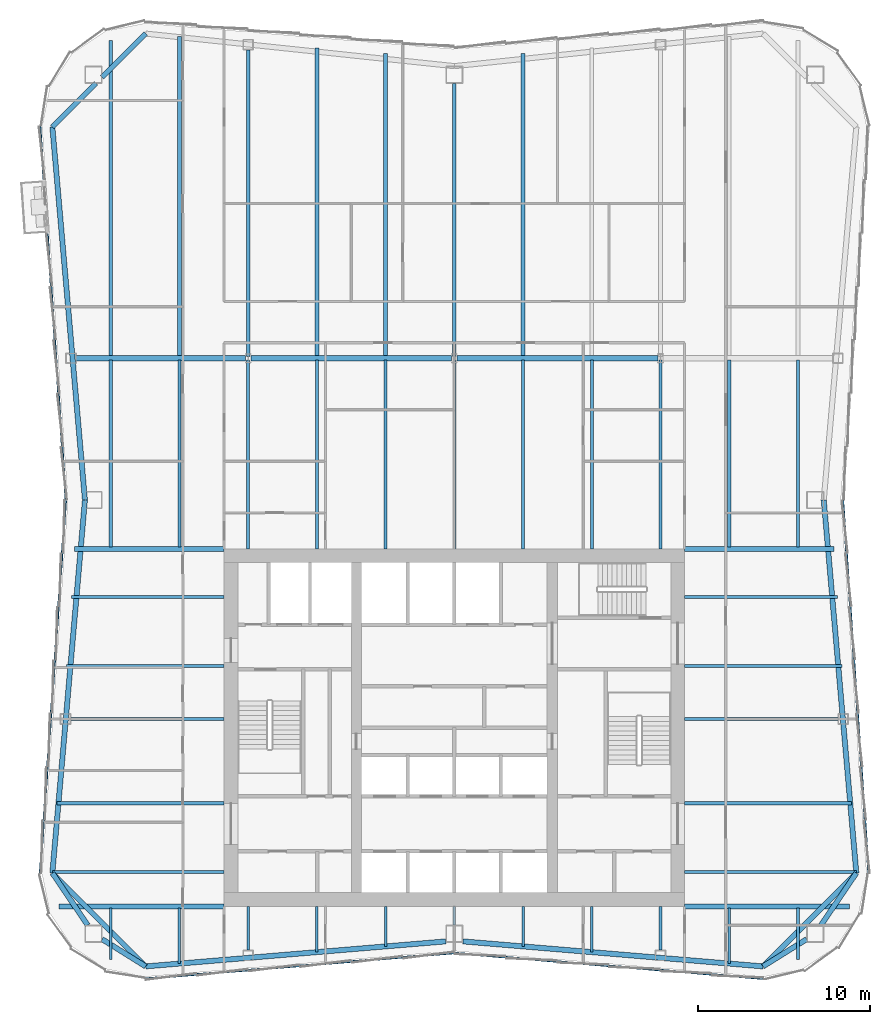
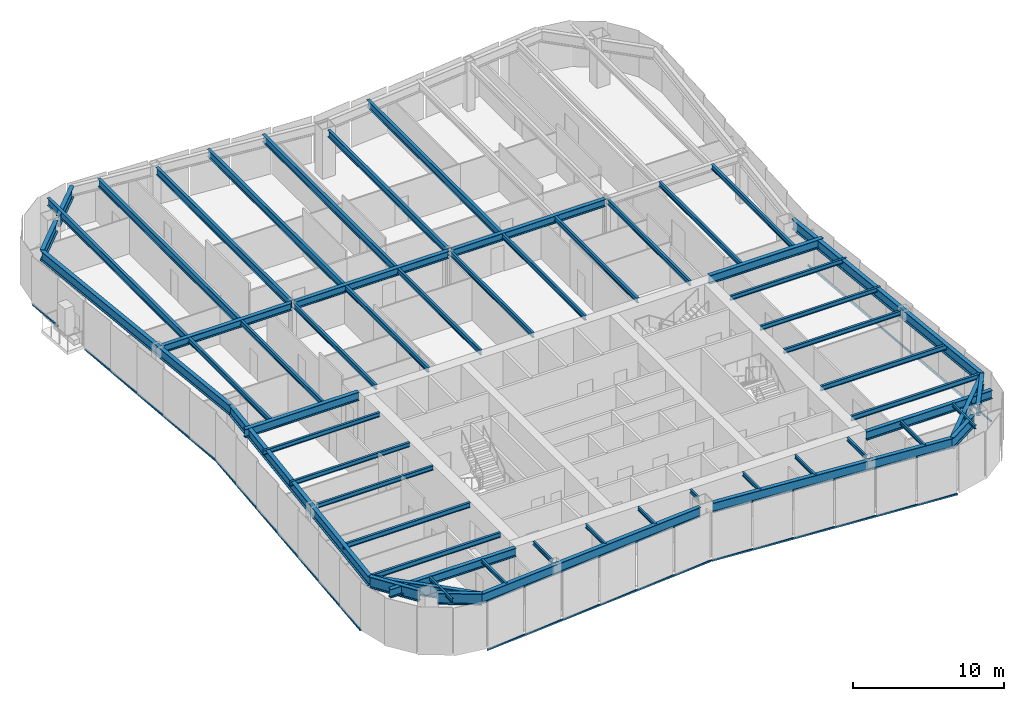
# One storey, part 3 of 11: 59 beams, 6 members, 3 elements without a shape of their own.
"""IFC4 building model written with IfcOpenShell, lengths in metres."""

from ifc_helpers import new_model, si_unit, direction, frame, origin, origin_2d, place, context, subcontext, project, spatial, rectangle, i_section, extrude, material, material_profile, profile_set, type_object, element, aggregate, save


model = new_model("IFC4")

# Units and contexts
model_context = context("Model", 3, precision=1e-05, world=origin(), true_north=direction((0.0, 1.0)))
body_context = subcontext(model_context, "Body", "Model", "MODEL_VIEW")
ifc_project = project(units=[si_unit("LENGTHUNIT", "METRE"), si_unit("AREAUNIT", "SQUARE_METRE"), si_unit("VOLUMEUNIT", "CUBIC_METRE"), si_unit("PLANEANGLEUNIT", "RADIAN"), si_unit("MASSUNIT", "GRAM", prefix="KILO")], contexts=[model_context])

# Site, building, storey
site_placement = place(None, origin())
site = spatial("IfcSite", under=ifc_project, at=site_placement, CompositionType="ELEMENT")
building_placement = place(site_placement, origin())
building = spatial("IfcBuilding", under=site, at=building_placement, Name="Verdant Reach Tower", CompositionType="ELEMENT")
storey_placement = place(building_placement, frame((0.0, 0.0, 258.0)))
storey = spatial("IfcBuildingStorey", under=building, at=storey_placement, Name="L59", CompositionType="ELEMENT", Elevation=258.0)

# Curtain wall, member
ifc_material_1 = material(Name="Anodised aluminium", Category="aluminium")
curtain_wall_type = type_object("IfcCurtainWallType", Name="EN-CW SYSTEM Z4", PredefinedType="NOTDEFINED", material=ifc_material_1)
curtain_wall_1_placement = place(storey_placement, origin())
curtain_wall_1 = element("IfcCurtainWall", 1, at=curtain_wall_1_placement, inside=storey, type_object=curtain_wall_type, Name="Curtain wall east, L59", PredefinedType="NOTDEFINED")
ifc_material_profile_1 = material_profile(ifc_material_1, rectangle(XDim=0.10009765625, YDim=0.1279296875, at=origin_2d()), Name="Transom 128x100")
ifc_profile_set_1 = profile_set([ifc_material_profile_1], Name="Anodised aluminium")
member_type = type_object("IfcMemberType", Name="EN-TRANSOM Z4", PredefinedType="USERDEFINED", material=ifc_profile_set_1)
member_1_placement = place(storey_placement, frame((24.109375, 19.52685546875, -0.285888671875), z_axis=(-0.068770489035, 0.997632507408, 0.0), x_axis=(-0.997632507408, -0.068770489035, 0.0)))
member_1 = element("IfcMember", 2, at=member_1_placement, type_object=member_type, Name="Transom east face part 1 1.1, L59", ObjectType="TRANSOM", PredefinedType="USERDEFINED", context=body_context, shape_type="SweptSolid", body=[
    extrude(rectangle(XDim=0.10009765625, YDim=0.1279296875, at=origin_2d()), origin(), (0.0, 0.0, 1.0), 21.74072265625),
])
aggregate(curtain_wall_1, [member_1])

# Curtain wall, members
curtain_wall_2_placement = place(storey_placement, origin())
curtain_wall_2 = element("IfcCurtainWall", 3, at=curtain_wall_2_placement, inside=storey, type_object=curtain_wall_type, Name="Curtain wall west, L59", PredefinedType="NOTDEFINED")
member_2_placement = place(storey_placement, frame((-24.109375, 62.97314453125, -0.285888671875), z_axis=(0.068509214601, -0.997650483644, 0.0), x_axis=(0.997650483644, 0.068509214601, 0.0)))
member_2 = element("IfcMember", 4, at=member_2_placement, type_object=member_type, Name="Transom west face part 1 1.1, L59", ObjectType="TRANSOM", PredefinedType="USERDEFINED", context=body_context, shape_type="SweptSolid", body=[
    extrude(rectangle(XDim=0.10009765625, YDim=0.1279296875, at=origin_2d()), origin(), (0.0, 0.0, 1.0), 3.06103515625),
])
member_3_placement = place(storey_placement, frame((-23.680908203125, 56.744140625, -0.285888671875), z_axis=(0.068829665926, -0.997628426363, 0.0), x_axis=(0.997628426363, 0.068829665926, 0.0)))
member_3 = element("IfcMember", 5, at=member_3_placement, type_object=member_type, Name="Transom west face part 1 2.1, L59", ObjectType="TRANSOM", PredefinedType="USERDEFINED", context=body_context, shape_type="SweptSolid", body=[
    extrude(rectangle(XDim=0.10009765625, YDim=0.1279296875, at=origin_2d()), origin(), (0.0, 0.0, 1.0), 15.4970703125),
])
member_4_placement = place(storey_placement, frame((-22.6142578125, 41.216064453125, -0.285888671875), z_axis=(-0.068770489035, -0.997632507408, 0.0), x_axis=(0.997632507408, -0.068770489035, 0.0)))
member_4 = element("IfcMember", 6, at=member_4_placement, type_object=member_type, Name="Transom west face part 2 1.1, L59", ObjectType="TRANSOM", PredefinedType="USERDEFINED", context=body_context, shape_type="SweptSolid", body=[
    extrude(rectangle(XDim=0.10009765625, YDim=0.1279296875, at=origin_2d()), origin(), (0.0, 0.0, 1.0), 21.74072265625),
])
aggregate(curtain_wall_2, [member_2, member_3, member_4])

curtain_wall_3_placement = place(storey_placement, origin())
curtain_wall_3 = element("IfcCurtainWall", 7, at=curtain_wall_3_placement, inside=storey, type_object=curtain_wall_type, Name="Curtain wall south, L59", PredefinedType="NOTDEFINED")
member_5_placement = place(storey_placement, frame((-17.972412109375, 13.39111328125, -0.285888671875), z_axis=(0.996549124771, 0.083005071637, 0.0), x_axis=(-0.083005071637, 0.996549124771, 0.0)))
member_5 = element("IfcMember", 8, at=member_5_placement, type_object=member_type, Name="Transom south face part 1 1.1, L59", ObjectType="TRANSOM", PredefinedType="USERDEFINED", context=body_context, shape_type="SweptSolid", body=[
    extrude(rectangle(XDim=0.10009765625, YDim=0.1279296875, at=origin_2d()), origin(), (0.0, 0.0, 1.0), 18.00048828125),
])
member_6_placement = place(storey_placement, frame((0.033935546875, 14.88525390625, -0.285888671875), z_axis=(0.996549124771, -0.083005071637, 0.0), x_axis=(0.083005071637, 0.996549124771, 0.0)))
member_6 = element("IfcMember", 9, at=member_6_placement, type_object=member_type, Name="Transom south face part 2 1.1, L59", ObjectType="TRANSOM", PredefinedType="USERDEFINED", context=body_context, shape_type="SweptSolid", body=[
    extrude(rectangle(XDim=0.10009765625, YDim=0.1279296875, at=origin_2d()), origin(), (0.0, 0.0, 1.0), 18.00048828125),
])
aggregate(curtain_wall_3, [member_5, member_6])

# Beams
ifc_material_2 = material(Name="Steel S355", Category="steel")
ifc_material_profile_2 = material_profile(ifc_material_2, i_section(OverallWidth=0.300048828125, OverallDepth=0.60009765625, WebThickness=0.015380859375, FlangeThickness=0.030029296875, FilletRadius=0.027099609375, at=origin_2d()), Name="HEB 600")
ifc_profile_set_2 = profile_set([ifc_material_profile_2], Name="Steel S355")
beam_type_1 = type_object("IfcBeamType", Name="ST-BEAM-HEB600", PredefinedType="BEAM", material=ifc_profile_set_2)
beam_1_placement = place(storey_placement, frame((-22.01904296875, 49.5, 3.570068359375), z_axis=(1.0, 0.0, 0.0), x_axis=(0.0, 1.0, 0.0)))
element("IfcBeam", 10, at=beam_1_placement, inside=storey, type_object=beam_type_1, Name="Row girder, L59", PredefinedType="BEAM", context=body_context, shape_type="SweptSolid", body=[
    extrude(i_section(OverallWidth=0.300048828125, OverallDepth=0.60009765625, WebThickness=0.015380859375, FlangeThickness=0.030029296875, FilletRadius=0.027099609375, at=origin_2d()), origin(), (0.0, 0.0, 1.0), 9.865966796875),
])
for number, where, z_axis, x_axis, name in (
    (11, (-11.846923828125, 49.5, 3.570068359375), (1.0, 0.0, 0.0), (0.0, 1.0, 0.0), "Row girder, L59"),
    (12, (0.153076171875, 49.5, 3.570068359375), (1.0, 0.0, 0.0), (0.0, 1.0, 0.0), "Row girder, L59"),
):
    element("IfcBeam", number, at=place(storey_placement, frame(where, z_axis=z_axis, x_axis=x_axis)), inside=storey, type_object=beam_type_1, Name=name, PredefinedType="BEAM", context=body_context, shape_type="SweptSolid", body=[
        extrude(i_section(OverallWidth=0.300048828125, OverallDepth=0.60009765625, WebThickness=0.015380859375, FlangeThickness=0.030029296875, FilletRadius=0.027099609375, at=origin_2d()), origin(), (0.0, 0.0, 1.0), 11.69384765625),
    ])
ifc_material_profile_3 = material_profile(ifc_material_2, i_section(OverallWidth=0.300048828125, OverallDepth=0.699951171875, WebThickness=0.01708984375, FlangeThickness=0.031982421875, FilletRadius=0.027099609375, at=origin_2d()), Name="HEB 700")
ifc_profile_set_3 = profile_set([ifc_material_profile_3], Name="Steel S355")
beam_type_2 = type_object("IfcBeamType", Name="ST-BEAM-HEB700", PredefinedType="BEAM", material=ifc_profile_set_3)
for number, where, z_axis, x_axis, name in (
    (13, (13.39990234375, 38.39990234375, 3.52001953125), (1.0, 0.0, 0.0), (0.0, 1.0, 0.0), "Trimmer beam, L59"),
    (14, (-13.39990234375, 38.39990234375, 3.52001953125), (-1.0, 0.0, 0.0), (0.0, -1.0, 0.0), "Trimmer beam, L59"),
):
    element("IfcBeam", number, at=place(storey_placement, frame(where, z_axis=z_axis, x_axis=x_axis)), inside=storey, type_object=beam_type_2, Name=name, PredefinedType="BEAM", context=body_context, shape_type="SweptSolid", body=[
        extrude(i_section(OverallWidth=0.300048828125, OverallDepth=0.699951171875, WebThickness=0.01708984375, FlangeThickness=0.031982421875, FilletRadius=0.027099609375, at=origin_2d()), origin(), (0.0, 0.0, 1.0), 8.6953125),
    ])
for number, where, z_axis, x_axis, name in (
    (15, (13.39990234375, 17.60009765625, 3.52001953125), (1.0, 0.0, 0.0), (0.0, 1.0, 0.0), "Trimmer beam, L59"),
    (16, (-13.39990234375, 17.60009765625, 3.52001953125), (-1.0, 0.0, 0.0), (0.0, -1.0, 0.0), "Trimmer beam, L59"),
):
    element("IfcBeam", number, at=place(storey_placement, frame(where, z_axis=z_axis, x_axis=x_axis)), inside=storey, type_object=beam_type_2, Name=name, PredefinedType="BEAM", context=body_context, shape_type="SweptSolid", body=[
        extrude(i_section(OverallWidth=0.300048828125, OverallDepth=0.699951171875, WebThickness=0.01708984375, FlangeThickness=0.031982421875, FilletRadius=0.027099609375, at=origin_2d()), origin(), (0.0, 0.0, 1.0), 9.6103515625),
    ])
ifc_material_profile_4 = material_profile(ifc_material_2, i_section(OverallWidth=0.302001953125, OverallDepth=0.909912109375, WebThickness=0.02099609375, FlangeThickness=0.0400390625, FilletRadius=0.030029296875, at=origin_2d()), Name="HEM 900")
ifc_profile_set_4 = profile_set([ifc_material_profile_4], Name="Steel S355")
beam_type_3 = type_object("IfcBeamType", Name="ST-BEAM-HEM900", PredefinedType="BEAM", material=ifc_profile_set_4)
beam_2_placement = place(storey_placement, frame((20.5, 15.687744140625, 3.4150390625), z_axis=(-0.848163521635, -0.529734500073, 0.0), x_axis=(0.529734500073, -0.848163521635, 0.0)))
element("IfcBeam", 17, at=beam_2_placement, inside=storey, type_object=beam_type_3, Name="Column stub beam, L59", PredefinedType="BEAM", context=body_context, shape_type="SweptSolid", body=[
    extrude(i_section(OverallWidth=0.302001953125, OverallDepth=0.909912109375, WebThickness=0.02099609375, FlangeThickness=0.0400390625, FilletRadius=0.030029296875, at=origin_2d()), origin(), (0.0, 0.0, 1.0), 2.98779296875),
])
beam_3_placement = place(storey_placement, frame((21.33837890625, 16.5, 3.4150390625), z_axis=(0.560703975309, 0.828016335631, 0.0), x_axis=(-0.828016335631, 0.560703975309, 0.0)))
element("IfcBeam", 18, at=beam_3_placement, inside=storey, type_object=beam_type_3, Name="Column stub beam, L59", PredefinedType="BEAM", context=body_context, shape_type="SweptSolid", body=[
    extrude(i_section(OverallWidth=0.302001953125, OverallDepth=0.909912109375, WebThickness=0.02099609375, FlangeThickness=0.0400390625, FilletRadius=0.030029296875, at=origin_2d()), origin(), (0.0, 0.0, 1.0), 3.669677734375),
])
beam_4_placement = place(storey_placement, frame((-20.5, 15.687744140625, 3.4150390625), z_axis=(0.848163521635, -0.529734500073, 0.0), x_axis=(0.529734500073, 0.848163521635, 0.0)))
element("IfcBeam", 19, at=beam_4_placement, inside=storey, type_object=beam_type_3, Name="Column stub beam, L59", PredefinedType="BEAM", context=body_context, shape_type="SweptSolid", body=[
    extrude(i_section(OverallWidth=0.302001953125, OverallDepth=0.909912109375, WebThickness=0.02099609375, FlangeThickness=0.0400390625, FilletRadius=0.030029296875, at=origin_2d()), origin(), (0.0, 0.0, 1.0), 2.98779296875),
])
beam_5_placement = place(storey_placement, frame((-21.33837890625, 16.5, 3.4150390625), z_axis=(-0.560703975309, 0.828016335631, 0.0), x_axis=(-0.828016335631, -0.560703975309, 0.0)))
element("IfcBeam", 20, at=beam_5_placement, inside=storey, type_object=beam_type_3, Name="Column stub beam, L59", PredefinedType="BEAM", context=body_context, shape_type="SweptSolid", body=[
    extrude(i_section(OverallWidth=0.302001953125, OverallDepth=0.909912109375, WebThickness=0.02099609375, FlangeThickness=0.0400390625, FilletRadius=0.030029296875, at=origin_2d()), origin(), (0.0, 0.0, 1.0), 3.669677734375),
])
ifc_material_profile_5 = material_profile(ifc_material_2, i_section(OverallWidth=0.14990234375, OverallDepth=0.300048828125, WebThickness=0.007080078125, FlangeThickness=0.0107421875, FilletRadius=0.014892578125, at=origin_2d()), Name="IPE 300")
ifc_profile_set_5 = profile_set([ifc_material_profile_5], Name="Steel S355")
beam_type_4 = type_object("IfcBeamType", Name="ST-JOIST-IPE300", PredefinedType="JOIST", material=ifc_profile_set_5)
beam_6_placement = place(storey_placement, frame((-20.0, 17.5, 3.719970703125), z_axis=(0.0, -1.0, 0.0), x_axis=(1.0, 0.0, 0.0)))
element("IfcBeam", 21, at=beam_6_placement, inside=storey, type_object=beam_type_4, Name="Floor joist, L59", PredefinedType="JOIST", context=body_context, shape_type="SweptSolid", body=[
    extrude(i_section(OverallWidth=0.14990234375, OverallDepth=0.300048828125, WebThickness=0.007080078125, FlangeThickness=0.0107421875, FilletRadius=0.014892578125, at=origin_2d()), origin(), (0.0, 0.0, 1.0), 2.990478515625),
])
beam_7_placement = place(storey_placement, frame((-16.0, 17.5, 3.719970703125), z_axis=(0.0, -1.0, 0.0), x_axis=(1.0, 0.0, 0.0)))
element("IfcBeam", 22, at=beam_7_placement, inside=storey, type_object=beam_type_4, Name="Floor joist, L59", PredefinedType="JOIST", context=body_context, shape_type="SweptSolid", body=[
    extrude(i_section(OverallWidth=0.14990234375, OverallDepth=0.300048828125, WebThickness=0.007080078125, FlangeThickness=0.0107421875, FilletRadius=0.014892578125, at=origin_2d()), origin(), (0.0, 0.0, 1.0), 3.231201171875),
])
beam_8_placement = place(storey_placement, frame((-12.0, 17.60009765625, 3.719970703125), z_axis=(0.0, -1.0, 0.0), x_axis=(1.0, 0.0, 0.0)))
element("IfcBeam", 23, at=beam_8_placement, inside=storey, type_object=beam_type_4, Name="Floor joist, L59", PredefinedType="JOIST", context=body_context, shape_type="SweptSolid", body=[
    extrude(i_section(OverallWidth=0.14990234375, OverallDepth=0.300048828125, WebThickness=0.007080078125, FlangeThickness=0.0107421875, FilletRadius=0.014892578125, at=origin_2d()), origin(), (0.0, 0.0, 1.0), 2.550048828125),
])
beam_9_placement = place(storey_placement, frame((-8.0, 17.60009765625, 3.719970703125), z_axis=(0.0, -1.0, 0.0), x_axis=(1.0, 0.0, 0.0)))
element("IfcBeam", 24, at=beam_9_placement, inside=storey, type_object=beam_type_4, Name="Floor joist, L59", PredefinedType="JOIST", context=body_context, shape_type="SweptSolid", body=[
    extrude(i_section(OverallWidth=0.14990234375, OverallDepth=0.300048828125, WebThickness=0.007080078125, FlangeThickness=0.0107421875, FilletRadius=0.014892578125, at=origin_2d()), origin(), (0.0, 0.0, 1.0), 2.664794921875),
])
beam_10_placement = place(storey_placement, frame((-4.0, 17.60009765625, 3.719970703125), z_axis=(0.0, -1.0, 0.0), x_axis=(1.0, 0.0, 0.0)))
element("IfcBeam", 25, at=beam_10_placement, inside=storey, type_object=beam_type_4, Name="Floor joist, L59", PredefinedType="JOIST", context=body_context, shape_type="SweptSolid", body=[
    extrude(i_section(OverallWidth=0.14990234375, OverallDepth=0.300048828125, WebThickness=0.007080078125, FlangeThickness=0.0107421875, FilletRadius=0.014892578125, at=origin_2d()), origin(), (0.0, 0.0, 1.0), 2.331298828125),
])
beam_11_placement = place(storey_placement, frame((0.0, 17.60009765625, 3.719970703125), z_axis=(0.0, -1.0, 0.0), x_axis=(1.0, 0.0, 0.0)))
element("IfcBeam", 26, at=beam_11_placement, inside=storey, type_object=beam_type_4, Name="Floor joist, L59", PredefinedType="JOIST", context=body_context, shape_type="SweptSolid", body=[
    extrude(i_section(OverallWidth=0.14990234375, OverallDepth=0.300048828125, WebThickness=0.007080078125, FlangeThickness=0.0107421875, FilletRadius=0.014892578125, at=origin_2d()), origin(), (0.0, 0.0, 1.0), 1.10009765625),
])
beam_12_placement = place(storey_placement, frame((4.0, 17.60009765625, 3.719970703125), z_axis=(0.0, -1.0, 0.0), x_axis=(1.0, 0.0, 0.0)))
element("IfcBeam", 27, at=beam_12_placement, inside=storey, type_object=beam_type_4, Name="Floor joist, L59", PredefinedType="JOIST", context=body_context, shape_type="SweptSolid", body=[
    extrude(i_section(OverallWidth=0.14990234375, OverallDepth=0.300048828125, WebThickness=0.007080078125, FlangeThickness=0.0107421875, FilletRadius=0.014892578125, at=origin_2d()), origin(), (0.0, 0.0, 1.0), 2.331298828125),
])
beam_13_placement = place(storey_placement, frame((8.0, 17.60009765625, 3.719970703125), z_axis=(0.0, -1.0, 0.0), x_axis=(1.0, 0.0, 0.0)))
element("IfcBeam", 28, at=beam_13_placement, inside=storey, type_object=beam_type_4, Name="Floor joist, L59", PredefinedType="JOIST", context=body_context, shape_type="SweptSolid", body=[
    extrude(i_section(OverallWidth=0.14990234375, OverallDepth=0.300048828125, WebThickness=0.007080078125, FlangeThickness=0.0107421875, FilletRadius=0.014892578125, at=origin_2d()), origin(), (0.0, 0.0, 1.0), 2.664794921875),
])
beam_14_placement = place(storey_placement, frame((12.0, 17.60009765625, 3.719970703125), z_axis=(0.0, -1.0, 0.0), x_axis=(1.0, 0.0, 0.0)))
element("IfcBeam", 29, at=beam_14_placement, inside=storey, type_object=beam_type_4, Name="Floor joist, L59", PredefinedType="JOIST", context=body_context, shape_type="SweptSolid", body=[
    extrude(i_section(OverallWidth=0.14990234375, OverallDepth=0.300048828125, WebThickness=0.007080078125, FlangeThickness=0.0107421875, FilletRadius=0.014892578125, at=origin_2d()), origin(), (0.0, 0.0, 1.0), 2.550048828125),
])
beam_15_placement = place(storey_placement, frame((16.0, 17.5, 3.719970703125), z_axis=(0.0, -1.0, 0.0), x_axis=(1.0, 0.0, 0.0)))
element("IfcBeam", 30, at=beam_15_placement, inside=storey, type_object=beam_type_4, Name="Floor joist, L59", PredefinedType="JOIST", context=body_context, shape_type="SweptSolid", body=[
    extrude(i_section(OverallWidth=0.14990234375, OverallDepth=0.300048828125, WebThickness=0.007080078125, FlangeThickness=0.0107421875, FilletRadius=0.014892578125, at=origin_2d()), origin(), (0.0, 0.0, 1.0), 3.231201171875),
])
beam_16_placement = place(storey_placement, frame((20.0, 17.5, 3.719970703125), z_axis=(0.0, -1.0, 0.0), x_axis=(1.0, 0.0, 0.0)))
element("IfcBeam", 31, at=beam_16_placement, inside=storey, type_object=beam_type_4, Name="Floor joist, L59", PredefinedType="JOIST", context=body_context, shape_type="SweptSolid", body=[
    extrude(i_section(OverallWidth=0.14990234375, OverallDepth=0.300048828125, WebThickness=0.007080078125, FlangeThickness=0.0107421875, FilletRadius=0.014892578125, at=origin_2d()), origin(), (0.0, 0.0, 1.0), 2.990478515625),
])
ifc_material_profile_6 = material_profile(ifc_material_2, i_section(OverallWidth=0.169921875, OverallDepth=0.360107421875, WebThickness=0.008056640625, FlangeThickness=0.0126953125, FilletRadius=0.01806640625, at=origin_2d()), Name="IPE 360")
ifc_profile_set_6 = profile_set([ifc_material_profile_6], Name="Steel S355")
beam_type_5 = type_object("IfcBeamType", Name="ST-JOIST-IPE360", PredefinedType="JOIST", material=ifc_profile_set_6)
for number, where, z_axis, x_axis, name in (
    (32, (13.39990234375, 28.5, 3.68994140625), (1.0, 0.0, 0.0), (0.0, 1.0, 0.0), "Floor joist, L59"),
    (33, (-13.39990234375, 28.5, 3.68994140625), (-1.0, 0.0, 0.0), (0.0, -1.0, 0.0), "Floor joist, L59"),
):
    element("IfcBeam", number, at=place(storey_placement, frame(where, z_axis=z_axis, x_axis=x_axis)), inside=storey, type_object=beam_type_5, Name=name, PredefinedType="JOIST", context=body_context, shape_type="SweptSolid", body=[
        extrude(i_section(OverallWidth=0.169921875, OverallDepth=0.360107421875, WebThickness=0.008056640625, FlangeThickness=0.0126953125, FilletRadius=0.01806640625, at=origin_2d()), origin(), (0.0, 0.0, 1.0), 8.929443359375),
    ])
for number, where, z_axis, x_axis, name in (
    (34, (13.39990234375, 31.60009765625, 3.68994140625), (1.0, 0.0, 0.0), (0.0, 1.0, 0.0), "Floor joist, L59"),
    (35, (-13.39990234375, 31.60009765625, 3.68994140625), (-1.0, 0.0, 0.0), (0.0, -1.0, 0.0), "Floor joist, L59"),
):
    element("IfcBeam", number, at=place(storey_placement, frame(where, z_axis=z_axis, x_axis=x_axis)), inside=storey, type_object=beam_type_5, Name=name, PredefinedType="JOIST", context=body_context, shape_type="SweptSolid", body=[
        extrude(i_section(OverallWidth=0.169921875, OverallDepth=0.360107421875, WebThickness=0.008056640625, FlangeThickness=0.0126953125, FilletRadius=0.01806640625, at=origin_2d()), origin(), (0.0, 0.0, 1.0), 9.164306640625),
    ])
for number, where, z_axis, x_axis, name in (
    (36, (13.39990234375, 35.60009765625, 3.68994140625), (1.0, 0.0, 0.0), (0.0, 1.0, 0.0), "Floor joist, L59"),
    (37, (-13.39990234375, 35.60009765625, 3.68994140625), (-1.0, 0.0, 0.0), (0.0, -1.0, 0.0), "Floor joist, L59"),
):
    element("IfcBeam", number, at=place(storey_placement, frame(where, z_axis=z_axis, x_axis=x_axis)), inside=storey, type_object=beam_type_5, Name=name, PredefinedType="JOIST", context=body_context, shape_type="SweptSolid", body=[
        extrude(i_section(OverallWidth=0.169921875, OverallDepth=0.360107421875, WebThickness=0.008056640625, FlangeThickness=0.0126953125, FilletRadius=0.01806640625, at=origin_2d()), origin(), (0.0, 0.0, 1.0), 8.88818359375),
    ])
ifc_material_profile_7 = material_profile(ifc_material_2, i_section(OverallWidth=0.179931640625, OverallDepth=0.39990234375, WebThickness=0.008544921875, FlangeThickness=0.013427734375, FilletRadius=0.02099609375, at=origin_2d()), Name="IPE 400")
ifc_profile_set_7 = profile_set([ifc_material_profile_7], Name="Steel S355")
beam_type_6 = type_object("IfcBeamType", Name="ST-JOIST-IPE400", PredefinedType="JOIST", material=ifc_profile_set_7)
for number, where, z_axis, x_axis, name in (
    (38, (-20.0, 38.5, 3.669921875), (0.0, 1.0, 0.0), (-1.0, 0.0, 0.0), "Floor joist, L59"),
    (39, (-16.0, 38.5, 3.669921875), (0.0, 1.0, 0.0), (-1.0, 0.0, 0.0), "Floor joist, L59"),
):
    element("IfcBeam", number, at=place(storey_placement, frame(where, z_axis=z_axis, x_axis=x_axis)), inside=storey, type_object=beam_type_6, Name=name, PredefinedType="JOIST", context=body_context, shape_type="SweptSolid", body=[
        extrude(i_section(OverallWidth=0.179931640625, OverallDepth=0.39990234375, WebThickness=0.008544921875, FlangeThickness=0.013427734375, FilletRadius=0.02099609375, at=origin_2d()), origin(), (0.0, 0.0, 1.0), 10.89990234375),
    ])
for number, where, z_axis, x_axis, name in (
    (40, (-12.0, 38.39990234375, 3.669921875), (0.0, 1.0, 0.0), (-1.0, 0.0, 0.0), "Floor joist, L59"),
    (41, (-8.0, 38.39990234375, 3.669921875), (0.0, 1.0, 0.0), (-1.0, 0.0, 0.0), "Floor joist, L59"),
    (42, (-4.0, 38.39990234375, 3.669921875), (0.0, 1.0, 0.0), (-1.0, 0.0, 0.0), "Floor joist, L59"),
    (43, (0.0, 38.39990234375, 3.669921875), (0.0, 1.0, 0.0), (-1.0, 0.0, 0.0), "Floor joist, L59"),
    (44, (4.0, 38.39990234375, 3.669921875), (0.0, 1.0, 0.0), (-1.0, 0.0, 0.0), "Floor joist, L59"),
    (45, (8.0, 38.39990234375, 3.669921875), (0.0, 1.0, 0.0), (-1.0, 0.0, 0.0), "Floor joist, L59"),
    (46, (12.0, 38.39990234375, 3.669921875), (0.0, 1.0, 0.0), (-1.0, 0.0, 0.0), "Floor joist, L59"),
):
    element("IfcBeam", number, at=place(storey_placement, frame(where, z_axis=z_axis, x_axis=x_axis)), inside=storey, type_object=beam_type_6, Name=name, PredefinedType="JOIST", context=body_context, shape_type="SweptSolid", body=[
        extrude(i_section(OverallWidth=0.179931640625, OverallDepth=0.39990234375, WebThickness=0.008544921875, FlangeThickness=0.013427734375, FilletRadius=0.02099609375, at=origin_2d()), origin(), (0.0, 0.0, 1.0), 11.0),
    ])
for number, where, z_axis, x_axis, name in (
    (47, (16.0, 38.5, 3.669921875), (0.0, 1.0, 0.0), (-1.0, 0.0, 0.0), "Floor joist, L59"),
    (48, (20.0, 38.5, 3.669921875), (0.0, 1.0, 0.0), (-1.0, 0.0, 0.0), "Floor joist, L59"),
):
    element("IfcBeam", number, at=place(storey_placement, frame(where, z_axis=z_axis, x_axis=x_axis)), inside=storey, type_object=beam_type_6, Name=name, PredefinedType="JOIST", context=body_context, shape_type="SweptSolid", body=[
        extrude(i_section(OverallWidth=0.179931640625, OverallDepth=0.39990234375, WebThickness=0.008544921875, FlangeThickness=0.013427734375, FilletRadius=0.02099609375, at=origin_2d()), origin(), (0.0, 0.0, 1.0), 10.89990234375),
    ])
for number, where, z_axis, x_axis, name in (
    (49, (13.39990234375, 19.60009765625, 3.669921875), (1.0, 0.0, 0.0), (0.0, 1.0, 0.0), "Floor joist, L59"),
    (50, (-13.39990234375, 19.60009765625, 3.669921875), (-1.0, 0.0, 0.0), (0.0, -1.0, 0.0), "Floor joist, L59"),
):
    element("IfcBeam", number, at=place(storey_placement, frame(where, z_axis=z_axis, x_axis=x_axis)), inside=storey, type_object=beam_type_6, Name=name, PredefinedType="JOIST", context=body_context, shape_type="SweptSolid", body=[
        extrude(i_section(OverallWidth=0.179931640625, OverallDepth=0.39990234375, WebThickness=0.008544921875, FlangeThickness=0.013427734375, FilletRadius=0.02099609375, at=origin_2d()), origin(), (0.0, 0.0, 1.0), 9.99169921875),
    ])
for number, where, z_axis, x_axis, name in (
    (51, (13.39990234375, 23.60009765625, 3.669921875), (1.0, 0.0, 0.0), (0.0, 1.0, 0.0), "Floor joist, L59"),
    (52, (-13.39990234375, 23.60009765625, 3.669921875), (-1.0, 0.0, 0.0), (0.0, -1.0, 0.0), "Floor joist, L59"),
):
    element("IfcBeam", number, at=place(storey_placement, frame(where, z_axis=z_axis, x_axis=x_axis)), inside=storey, type_object=beam_type_6, Name=name, PredefinedType="JOIST", context=body_context, shape_type="SweptSolid", body=[
        extrude(i_section(OverallWidth=0.179931640625, OverallDepth=0.39990234375, WebThickness=0.008544921875, FlangeThickness=0.013427734375, FilletRadius=0.02099609375, at=origin_2d()), origin(), (0.0, 0.0, 1.0), 9.7158203125),
    ])
ifc_material_profile_8 = material_profile(ifc_material_2, i_section(OverallWidth=0.2099609375, OverallDepth=0.550048828125, WebThickness=0.010986328125, FlangeThickness=0.01708984375, FilletRadius=0.02392578125, at=origin_2d()), Name="IPE 550")
ifc_profile_set_8 = profile_set([ifc_material_profile_8], Name="Steel S355")
beam_type_7 = type_object("IfcBeamType", Name="ST-JOIST-IPE550", PredefinedType="JOIST", material=ifc_profile_set_8)
beam_17_placement = place(storey_placement, frame((0.0, 49.60009765625, 3.594970703125), z_axis=(0.0, 1.0, 0.0), x_axis=(-1.0, 0.0, 0.0)))
element("IfcBeam", 53, at=beam_17_placement, inside=storey, type_object=beam_type_7, Name="Floor joist, L59", PredefinedType="JOIST", context=body_context, shape_type="SweptSolid", body=[
    extrude(i_section(OverallWidth=0.2099609375, OverallDepth=0.550048828125, WebThickness=0.010986328125, FlangeThickness=0.01708984375, FilletRadius=0.02392578125, at=origin_2d()), origin(), (0.0, 0.0, 1.0), 15.89990234375),
])
ifc_material_profile_9 = material_profile(ifc_material_2, i_section(OverallWidth=0.219970703125, OverallDepth=0.60009765625, WebThickness=0.011962890625, FlangeThickness=0.01904296875, FilletRadius=0.02392578125, at=origin_2d()), Name="IPE 600")
ifc_profile_set_9 = profile_set([ifc_material_profile_9], Name="Steel S355")
beam_type_8 = type_object("IfcBeamType", Name="ST-JOIST-IPE600", PredefinedType="JOIST", material=ifc_profile_set_9)
beam_18_placement = place(storey_placement, frame((-20.0, 49.60009765625, 3.570068359375), z_axis=(0.0, 1.0, 0.0), x_axis=(-1.0, 0.0, 0.0)))
element("IfcBeam", 54, at=beam_18_placement, inside=storey, type_object=beam_type_8, Name="Floor joist, L59", PredefinedType="JOIST", context=body_context, shape_type="SweptSolid", body=[
    extrude(i_section(OverallWidth=0.219970703125, OverallDepth=0.60009765625, WebThickness=0.011962890625, FlangeThickness=0.01904296875, FilletRadius=0.02392578125, at=origin_2d()), origin(), (0.0, 0.0, 1.0), 18.390380859375),
])
beam_19_placement = place(storey_placement, frame((-16.0, 49.60009765625, 3.570068359375), z_axis=(0.0, 1.0, 0.0), x_axis=(-1.0, 0.0, 0.0)))
element("IfcBeam", 55, at=beam_19_placement, inside=storey, type_object=beam_type_8, Name="Floor joist, L59", PredefinedType="JOIST", context=body_context, shape_type="SweptSolid", body=[
    extrude(i_section(OverallWidth=0.219970703125, OverallDepth=0.60009765625, WebThickness=0.011962890625, FlangeThickness=0.01904296875, FilletRadius=0.02392578125, at=origin_2d()), origin(), (0.0, 0.0, 1.0), 18.631103515625),
])
beam_20_placement = place(storey_placement, frame((-12.0, 49.60009765625, 3.570068359375), z_axis=(0.0, 1.0, 0.0), x_axis=(-1.0, 0.0, 0.0)))
element("IfcBeam", 56, at=beam_20_placement, inside=storey, type_object=beam_type_8, Name="Floor joist, L59", PredefinedType="JOIST", context=body_context, shape_type="SweptSolid", body=[
    extrude(i_section(OverallWidth=0.219970703125, OverallDepth=0.60009765625, WebThickness=0.011962890625, FlangeThickness=0.01904296875, FilletRadius=0.02392578125, at=origin_2d()), origin(), (0.0, 0.0, 1.0), 17.849853515625),
])
beam_21_placement = place(storey_placement, frame((-8.0, 49.60009765625, 3.570068359375), z_axis=(0.0, 1.0, 0.0), x_axis=(-1.0, 0.0, 0.0)))
element("IfcBeam", 57, at=beam_21_placement, inside=storey, type_object=beam_type_8, Name="Floor joist, L59", PredefinedType="JOIST", context=body_context, shape_type="SweptSolid", body=[
    extrude(i_section(OverallWidth=0.219970703125, OverallDepth=0.60009765625, WebThickness=0.011962890625, FlangeThickness=0.01904296875, FilletRadius=0.02392578125, at=origin_2d()), origin(), (0.0, 0.0, 1.0), 17.964599609375),
])
for number, where, z_axis, x_axis, name in (
    (58, (-4.0, 49.60009765625, 3.570068359375), (0.0, 1.0, 0.0), (-1.0, 0.0, 0.0), "Floor joist, L59"),
    (59, (4.0, 49.60009765625, 3.570068359375), (0.0, 1.0, 0.0), (-1.0, 0.0, 0.0), "Floor joist, L59"),
):
    element("IfcBeam", number, at=place(storey_placement, frame(where, z_axis=z_axis, x_axis=x_axis)), inside=storey, type_object=beam_type_8, Name=name, PredefinedType="JOIST", context=body_context, shape_type="SweptSolid", body=[
        extrude(i_section(OverallWidth=0.219970703125, OverallDepth=0.60009765625, WebThickness=0.011962890625, FlangeThickness=0.01904296875, FilletRadius=0.02392578125, at=origin_2d()), origin(), (0.0, 0.0, 1.0), 17.631103515625),
    ])
ifc_material_profile_10 = material_profile(ifc_material_2, i_section(OverallWidth=0.300048828125, OverallDepth=0.800048828125, WebThickness=0.017578125, FlangeThickness=0.032958984375, FilletRadius=0.030029296875, at=origin_2d()), Name="HEB 800")
ifc_profile_set_10 = profile_set([ifc_material_profile_10], Name="Steel S355")
beam_type_9 = type_object("IfcBeamType", Name="ST-SPANDREL-HEB800", PredefinedType="SPANDREL", material=ifc_profile_set_10)
for number, where, z_axis, x_axis, name in (
    (60, (17.9658203125, 14.10498046875, 3.469970703125), (-0.99654652675, 0.083036257282, 0.0), (-0.083036257282, -0.99654652675, 0.0), "Edge beam, L59"),
    (61, (-0.5, 15.560302734375, 3.469970703125), (-0.99654652675, -0.083036257282, 0.0), (0.083036257282, -0.99654652675, 0.0), "Edge beam, L59"),
):
    element("IfcBeam", number, at=place(storey_placement, frame(where, z_axis=z_axis, x_axis=x_axis)), inside=storey, type_object=beam_type_9, Name=name, PredefinedType="SPANDREL", context=body_context, shape_type="SweptSolid", body=[
        extrude(i_section(OverallWidth=0.300048828125, OverallDepth=0.800048828125, WebThickness=0.017578125, FlangeThickness=0.032958984375, FilletRadius=0.030029296875, at=origin_2d()), origin(), (0.0, 0.0, 1.0), 17.5263671875),
    ])
for number, where, z_axis, x_axis, name in (
    (62, (-23.39599609375, 19.53857421875, 3.469970703125), (0.086996024331, 0.996208658741, 0.0), (-0.996208658741, 0.086996024331, 0.0), "Edge beam, L59"),
    (63, (-21.5, 41.25, 3.469970703125), (-0.086996024331, 0.996208658741, 0.0), (-0.996208658741, -0.086996024331, 0.0), "Edge beam, L59"),
    (64, (21.5, 41.25, 3.469970703125), (0.086996024331, -0.996208658741, 0.0), (0.996208658741, 0.086996024331, 0.0), "Edge beam, L59"),
):
    element("IfcBeam", number, at=place(storey_placement, frame(where, z_axis=z_axis, x_axis=x_axis)), inside=storey, type_object=beam_type_9, Name=name, PredefinedType="SPANDREL", context=body_context, shape_type="SweptSolid", body=[
        extrude(i_section(OverallWidth=0.300048828125, OverallDepth=0.800048828125, WebThickness=0.017578125, FlangeThickness=0.032958984375, FilletRadius=0.030029296875, at=origin_2d()), origin(), (0.0, 0.0, 1.0), 21.7939453125),
    ])
ifc_material_profile_11 = material_profile(ifc_material_2, i_section(OverallWidth=0.302001953125, OverallDepth=0.909912109375, WebThickness=0.02099609375, FlangeThickness=0.0400390625, FilletRadius=0.030029296875, at=origin_2d()), Name="HEM 900")
ifc_profile_set_11 = profile_set([ifc_material_profile_11], Name="Steel S355")
beam_type_10 = type_object("IfcBeamType", Name="ST-SPANDREL-HEM900", PredefinedType="SPANDREL", material=ifc_profile_set_11)
beam_22_placement = place(storey_placement, frame((-17.9658203125, 14.10498046875, 3.4150390625), z_axis=(-0.706884275642, 0.707329216738, 0.0), x_axis=(-0.707329216738, -0.706884275642, 0.0)))
element("IfcBeam", 65, at=beam_22_placement, inside=storey, type_object=beam_type_10, Name="Edge beam, L59", PredefinedType="SPANDREL", context=body_context, shape_type="SweptSolid", body=[
    extrude(i_section(OverallWidth=0.302001953125, OverallDepth=0.909912109375, WebThickness=0.02099609375, FlangeThickness=0.0400390625, FilletRadius=0.030029296875, at=origin_2d()), origin(), (0.0, 0.0, 1.0), 7.681884765625),
])
beam_23_placement = place(storey_placement, frame((-23.39599609375, 62.96142578125, 3.4150390625), z_axis=(0.706902680526, 0.707310822952, 0.0), x_axis=(-0.707310822952, 0.706902680526, 0.0)))
element("IfcBeam", 66, at=beam_23_placement, inside=storey, type_object=beam_type_10, Name="Edge beam, L59", PredefinedType="SPANDREL", context=body_context, shape_type="SweptSolid", body=[
    extrude(i_section(OverallWidth=0.302001953125, OverallDepth=0.909912109375, WebThickness=0.02099609375, FlangeThickness=0.0400390625, FilletRadius=0.030029296875, at=origin_2d()), origin(), (0.0, 0.0, 1.0), 3.589111328125),
])
beam_24_placement = place(storey_placement, frame((-20.5, 65.859130859375, 3.4150390625), z_axis=(0.706868394255, 0.707345087777, 0.0), x_axis=(-0.707345087777, 0.706868394255, 0.0)))
element("IfcBeam", 67, at=beam_24_placement, inside=storey, type_object=beam_type_10, Name="Edge beam, L59", PredefinedType="SPANDREL", context=body_context, shape_type="SweptSolid", body=[
    extrude(i_section(OverallWidth=0.302001953125, OverallDepth=0.909912109375, WebThickness=0.02099609375, FlangeThickness=0.0400390625, FilletRadius=0.030029296875, at=origin_2d()), origin(), (0.0, 0.0, 1.0), 3.5849609375),
])
beam_25_placement = place(storey_placement, frame((23.39599609375, 19.53857421875, 3.4150390625), z_axis=(-0.706884275642, -0.707329216738, 0.0), x_axis=(0.707329216738, -0.706884275642, 0.0)))
element("IfcBeam", 68, at=beam_25_placement, inside=storey, type_object=beam_type_10, Name="Edge beam, L59", PredefinedType="SPANDREL", context=body_context, shape_type="SweptSolid", body=[
    extrude(i_section(OverallWidth=0.302001953125, OverallDepth=0.909912109375, WebThickness=0.02099609375, FlangeThickness=0.0400390625, FilletRadius=0.030029296875, at=origin_2d()), origin(), (0.0, 0.0, 1.0), 7.681884765625),
])

save(model, "model.ifc")
